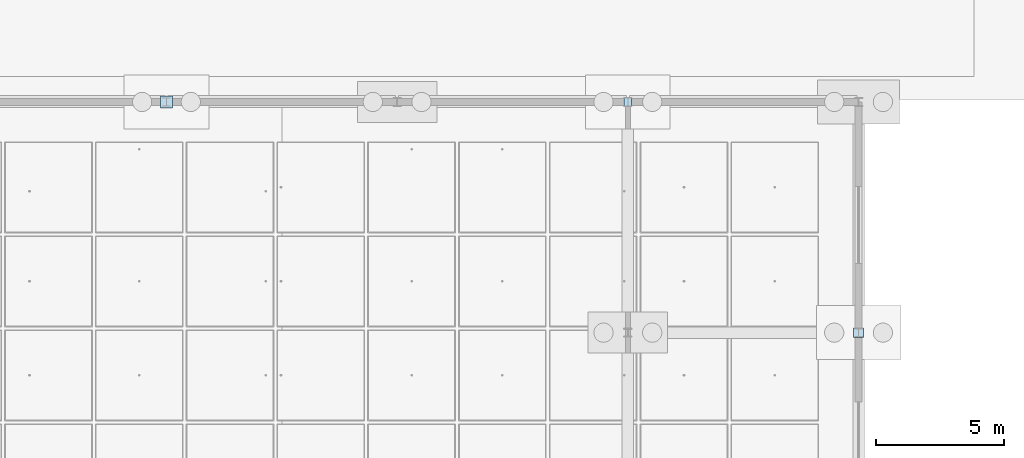
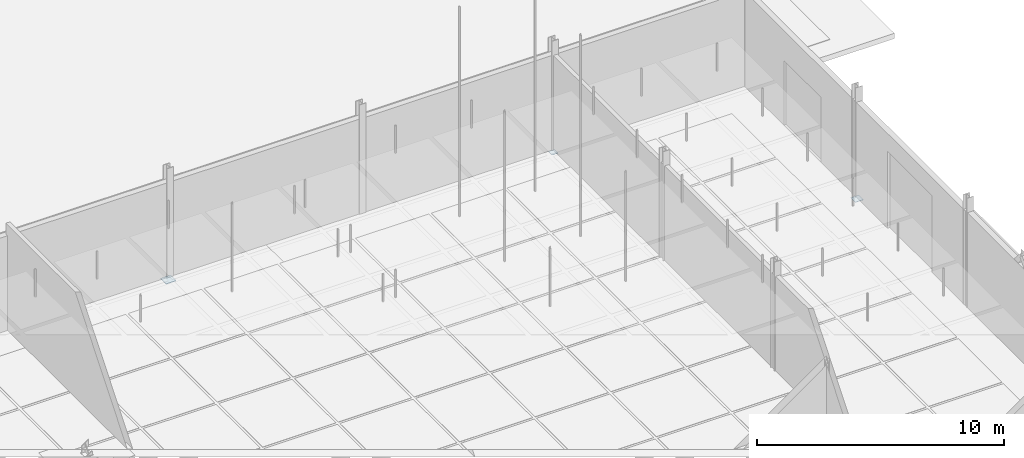
# One storey, part 92 of 180: 3 plates.
"""IFC4 building model written with IfcOpenShell, lengths in metres."""

from ifc_helpers import new_model, si_unit, direction, frame, origin, origin_2d, place, context, subcontext, project, spatial, rectangle, extrude, material, layer, layer_set, type_object, element, save


model = new_model("IFC4")

# Units and contexts
model_context = context("Model", 3, precision=1e-05, world=origin(), true_north=direction((0.0, 1.0)))
body_context = subcontext(model_context, "Body", "Model", "MODEL_VIEW")
ifc_project = project(units=[si_unit("LENGTHUNIT", "METRE"), si_unit("AREAUNIT", "SQUARE_METRE"), si_unit("VOLUMEUNIT", "CUBIC_METRE"), si_unit("PLANEANGLEUNIT", "RADIAN"), si_unit("MASSUNIT", "GRAM", prefix="KILO"), si_unit("THERMODYNAMICTEMPERATUREUNIT", "KELVIN"), si_unit("POWERUNIT", "WATT")], contexts=[model_context])

# Site, building, storey
site_placement = place(None, origin())
site = spatial("IfcSite", under=ifc_project, at=site_placement, CompositionType="ELEMENT")
building_placement = place(site_placement, origin())
building = spatial("IfcBuilding", under=site, at=building_placement, Name="Tallowbark Science Centre", CompositionType="ELEMENT")
storey_placement = place(building_placement, origin())
storey = spatial("IfcBuildingStorey", under=building, at=storey_placement, Name="L00", CompositionType="ELEMENT", Elevation=0.0)

# Plates
ifc_material = material(Name="Structural Steel Grade 300PLUS (300 MPa)", Category="steel")
ifc_layer_1 = layer(ifc_material, 0.010009765625)
ifc_layer_set_1 = layer_set([ifc_layer_1], Name="Structural Steel Grade 300PLUS (300 MPa)")
plate_type_1 = type_object("IfcPlateType", Name="PLT-GUS-10", PredefinedType="SHEET", material=ifc_layer_set_1)
plate_1_placement = place(storey_placement, frame((148.5, 36.0, -0.240234375), z_axis=(0.0, 0.0, 1.0), x_axis=(1.0, 0.0, 0.0)))
element("IfcPlate", 1, at=plate_1_placement, inside=storey, type_object=plate_type_1, Name="Column Baseplate THT-M4_4", PredefinedType="SHEET", context=body_context, shape_type="SweptSolid", body=[
    extrude(rectangle(XDim=0.300048828125, YDim=0.300048828125, at=origin_2d()), origin(), (0.0, 0.0, 1.0), 0.010009765625),
])
ifc_layer_2 = layer(ifc_material, 0.01806640625)
ifc_layer_set_2 = layer_set([ifc_layer_2], Name="Structural Steel Grade 300PLUS (300 MPa)")
plate_type_2 = type_object("IfcPlateType", Name="PLT-GUS-18", PredefinedType="SHEET", material=ifc_layer_set_2)
plate_2_placement = place(storey_placement, frame((157.5, 27.0, -0.239990234375), z_axis=(0.0, 0.0, 1.0), x_axis=(1.0, 0.0, 0.0)))
element("IfcPlate", 2, at=plate_2_placement, inside=storey, type_object=plate_type_2, Name="Column Baseplate THT-M5_3", PredefinedType="SHEET", context=body_context, shape_type="SweptSolid", body=[
    extrude(rectangle(XDim=0.3798828125, YDim=0.3798828125, at=origin_2d()), origin(), (0.0, 0.0, 1.0), 0.01806640625),
])
ifc_layer_3 = layer(ifc_material, 0.02587890625)
ifc_layer_set_3 = layer_set([ifc_layer_3], Name="Structural Steel Grade 300PLUS (300 MPa)")
plate_type_3 = type_object("IfcPlateType", Name="PLT-GUS-26", PredefinedType="SHEET", material=ifc_layer_set_3)
plate_3_placement = place(storey_placement, frame((130.5, 36.0, -0.239990234375), z_axis=(0.0, 0.0, 1.0), x_axis=(1.0, 0.0, 0.0)))
element("IfcPlate", 3, at=plate_3_placement, inside=storey, type_object=plate_type_3, Name="Column Baseplate THT-M2_4", PredefinedType="SHEET", context=body_context, shape_type="SweptSolid", body=[
    extrude(rectangle(XDim=0.4599609375, YDim=0.4599609375, at=origin_2d()), origin(), (0.0, 0.0, 1.0), 0.02587890625),
])

save(model, "model.ifc")
